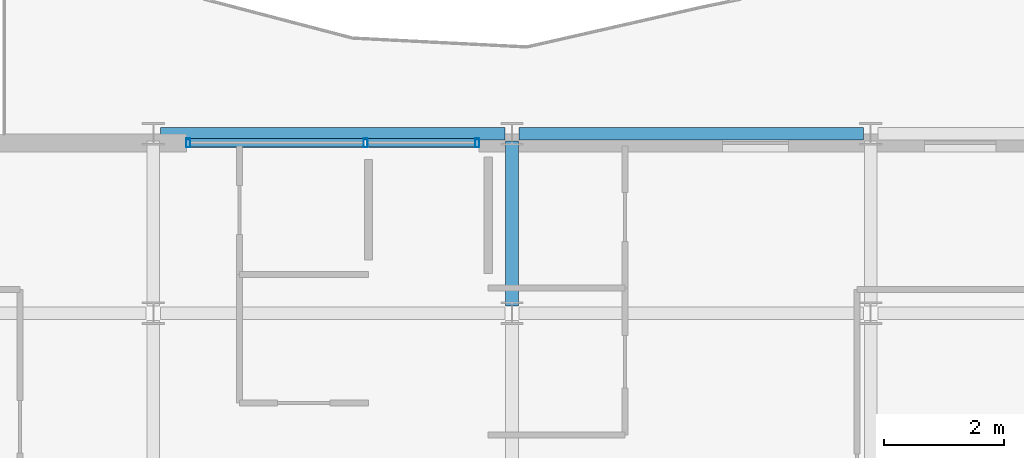
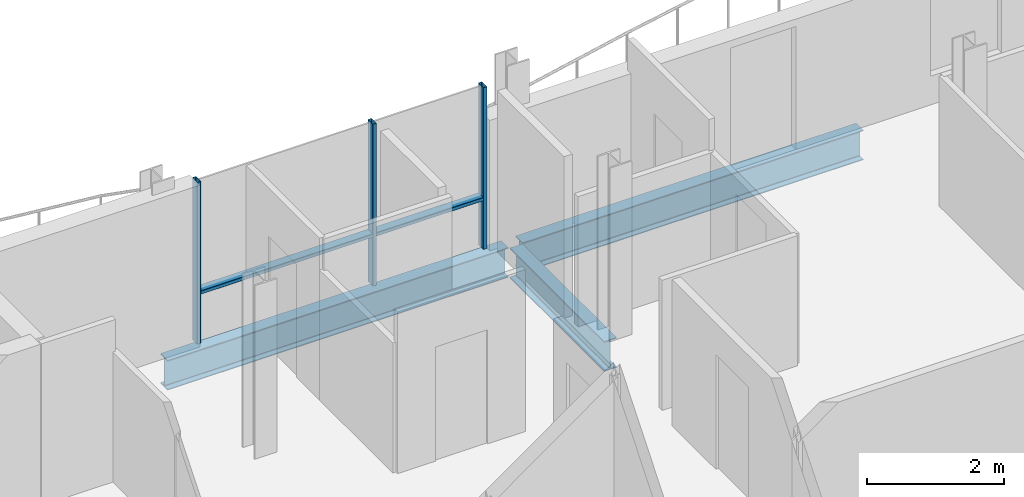
# One storey, part 8 of 30: 5 members, 3 beams, 1 element without a shape of its own.
"""IFC4 building model written with IfcOpenShell, lengths in metres."""

from ifc_helpers import new_model, si_unit, direction, frame, origin, origin_2d, place, context, subcontext, project, spatial, hollow_rectangle, i_section, extrude, material, layer, layer_set, material_profile, profile_set, type_object, element, aggregate, save


model = new_model("IFC4")

# Units and contexts
model_context = context("Model", 3, precision=1e-05, world=origin(), true_north=direction((0.0, 1.0)))
body_context = subcontext(model_context, "Body", "Model", "MODEL_VIEW")
ifc_project = project(units=[si_unit("LENGTHUNIT", "METRE"), si_unit("AREAUNIT", "SQUARE_METRE"), si_unit("VOLUMEUNIT", "CUBIC_METRE"), si_unit("PLANEANGLEUNIT", "RADIAN"), si_unit("MASSUNIT", "GRAM", prefix="KILO")], contexts=[model_context])

# Site, building, storey
site_placement = place(None, origin())
site = spatial("IfcSite", under=ifc_project, at=site_placement, CompositionType="ELEMENT")
building_placement = place(site_placement, origin())
building = spatial("IfcBuilding", under=site, at=building_placement, Name="Brevholm Reach", CompositionType="ELEMENT")
storey_placement = place(building_placement, frame((0.0, 0.0, 204.89990234375)))
storey = spatial("IfcBuildingStorey", under=building, at=storey_placement, Name="L62", CompositionType="ELEMENT", Elevation=204.89990234375)

# Beams
ifc_material_1 = material(Name="Structural Steel S355J2", Category="steel")
ifc_material_profile_1 = material_profile(ifc_material_1, i_section(OverallWidth=0.209228515625, OverallDepth=0.533203125, WebThickness=0.010009765625, FlangeThickness=0.015625, FilletRadius=0.0126953125, at=origin_2d()), Name="UKB 533x210x92")
ifc_profile_set_1 = profile_set([ifc_material_profile_1], Name="Structural Steel S355J2")
beam_type_1 = type_object("IfcBeamType", Name="BM-SP533", PredefinedType="SPANDREL", material=ifc_profile_set_1)
for number, where, z_axis, x_axis, name in (
    (1, (6.1201171875, 26.5, -0.4765625), (1.0, 0.0, 0.0), (0.0, 1.0, 0.0), "L62 SP-02 Framing Beam"),
    (2, (12.1201171875, 26.5, -0.4765625), (1.0, 0.0, 0.0), (0.0, 1.0, 0.0), "L62 SP-02 Framing Beam"),
):
    element("IfcBeam", number, at=place(storey_placement, frame(where, z_axis=z_axis, x_axis=x_axis)), inside=storey, type_object=beam_type_1, Name=name, PredefinedType="SPANDREL", context=body_context, shape_type="SweptSolid", body=[
        extrude(i_section(OverallWidth=0.209228515625, OverallDepth=0.533203125, WebThickness=0.010009765625, FlangeThickness=0.015625, FilletRadius=0.0126953125, at=origin_2d()), origin(), (0.0, 0.0, 1.0), 5.759765625),
    ])
ifc_material_2 = material(Name="Structural Steel S355J2", Category="steel")
ifc_material_profile_2 = material_profile(ifc_material_2, i_section(OverallWidth=0.210693359375, OverallDepth=0.53955078125, WebThickness=0.01171875, FlangeThickness=0.018798828125, FilletRadius=0.0126953125, at=origin_2d()), Name="UKB 533x210x109")
ifc_profile_set_2 = profile_set([ifc_material_profile_2], Name="Structural Steel S355J2")
beam_type_2 = type_object("IfcBeamType", Name="BM-SP539", PredefinedType="SPANDREL", material=ifc_profile_set_2)
beam_placement = place(storey_placement, frame((12.0, 23.6201171875, -0.479736328125), z_axis=(0.0, 1.0, 0.0), x_axis=(-1.0, 0.0, 0.0)))
element("IfcBeam", 3, at=beam_placement, inside=storey, type_object=beam_type_2, Name="L62 SP-01B Framing Beam", PredefinedType="SPANDREL", context=body_context, shape_type="SweptSolid", body=[
    extrude(i_section(OverallWidth=0.210693359375, OverallDepth=0.53955078125, WebThickness=0.01171875, FlangeThickness=0.018798828125, FilletRadius=0.0126953125, at=origin_2d()), origin(), (0.0, 0.0, 1.0), 2.759765625),
])

# Curtain wall, members
ifc_material_3 = material(Name="Dark Anodised Aluminium 6063-T6 and Solar-Control Glass", Category="aluminium")
ifc_layer = layer(ifc_material_3, 0.14990234375)
ifc_layer_set = layer_set([ifc_layer], Name="Dark Anodised Aluminium 6063-T6 and Solar-Control Glass")
curtain_wall_type = type_object("IfcCurtainWallType", Name="CW-01", PredefinedType="NOTDEFINED", material=ifc_layer_set)
curtain_wall_placement = place(storey_placement, origin())
curtain_wall = element("IfcCurtainWall", 4, at=curtain_wall_placement, inside=storey, type_object=curtain_wall_type, Name="L62 Curtain Wall CW-01", PredefinedType="NOTDEFINED")
ifc_material_4 = material(Name="Dark Anodised Aluminium 6063-T6", Category="aluminium")
ifc_material_profile_3 = material_profile(ifc_material_4, hollow_rectangle(XDim=0.06494140625, YDim=0.14990234375, WallThickness=0.0048828125, InnerFilletRadius=0.0048828125, OuterFilletRadius=0.010009765625, at=origin_2d()), Name="RHS 150x65x5")
ifc_profile_set_3 = profile_set([ifc_material_profile_3], Name="Dark Anodised Aluminium 6063-T6")
member_type_1 = type_object("IfcMemberType", Name="CWM-150", PredefinedType="MULLION", material=ifc_profile_set_3)
member_1_placement = place(storey_placement, frame((6.58251953125, 26.35009765625, 0.0), z_axis=(0.0, 0.0, 1.0), x_axis=(1.0, 0.0, 0.0)))
member_1 = element("IfcMember", 5, at=member_1_placement, type_object=member_type_1, Name="CM-150 Mullion 1", PredefinedType="MULLION", context=body_context, shape_type="SweptSolid", body=[
    extrude(hollow_rectangle(XDim=0.06494140625, YDim=0.14990234375, WallThickness=0.0048828125, InnerFilletRadius=0.0048828125, OuterFilletRadius=0.010009765625, at=origin_2d()), origin(), (0.0, 0.0, 1.0), 2.89013671875),
])
member_2_placement = place(storey_placement, frame((9.550048828125, 26.35009765625, 0.0), z_axis=(0.0, 0.0, 1.0), x_axis=(1.0, 0.0, 0.0)))
member_2 = element("IfcMember", 6, at=member_2_placement, type_object=member_type_1, Name="CM-150 Mullion 2", PredefinedType="MULLION", context=body_context, shape_type="SweptSolid", body=[
    extrude(hollow_rectangle(XDim=0.06494140625, YDim=0.14990234375, WallThickness=0.0048828125, InnerFilletRadius=0.0048828125, OuterFilletRadius=0.010009765625, at=origin_2d()), origin(), (0.0, 0.0, 1.0), 2.89013671875),
])
member_3_placement = place(storey_placement, frame((11.41748046875, 26.35009765625, 0.0), z_axis=(0.0, 0.0, 1.0), x_axis=(1.0, 0.0, 0.0)))
member_3 = element("IfcMember", 7, at=member_3_placement, type_object=member_type_1, Name="CM-150 Mullion 3", PredefinedType="MULLION", context=body_context, shape_type="SweptSolid", body=[
    extrude(hollow_rectangle(XDim=0.06494140625, YDim=0.14990234375, WallThickness=0.0048828125, InnerFilletRadius=0.0048828125, OuterFilletRadius=0.010009765625, at=origin_2d()), origin(), (0.0, 0.0, 1.0), 2.89013671875),
])
ifc_material_5 = material(Name="Dark Anodised Aluminium 6063-T6", Category="aluminium")
ifc_material_profile_4 = material_profile(ifc_material_5, hollow_rectangle(XDim=0.06494140625, YDim=0.14990234375, WallThickness=0.0048828125, InnerFilletRadius=0.0048828125, OuterFilletRadius=0.010009765625, at=origin_2d()), Name="RHS 150x65x5")
ifc_profile_set_4 = profile_set([ifc_material_profile_4], Name="Dark Anodised Aluminium 6063-T6")
member_type_2 = type_object("IfcMemberType", Name="CWT-150", PredefinedType="NOTDEFINED", material=ifc_profile_set_4)
member_4_placement = place(storey_placement, frame((6.614990234375, 26.35009765625, 0.900146484375), z_axis=(1.0, 0.0, 0.0), x_axis=(0.0, 0.0, 1.0)))
member_4 = element("IfcMember", 8, at=member_4_placement, type_object=member_type_2, Name="CT-150 Transom 1.1", ObjectType="TRANSOM", PredefinedType="USERDEFINED", context=body_context, shape_type="SweptSolid", body=[
    extrude(hollow_rectangle(XDim=0.06494140625, YDim=0.14990234375, WallThickness=0.0048828125, InnerFilletRadius=0.0048828125, OuterFilletRadius=0.010009765625, at=origin_2d()), origin(), (0.0, 0.0, 1.0), 2.902587890625),
])
member_5_placement = place(storey_placement, frame((9.58251953125, 26.35009765625, 0.900146484375), z_axis=(1.0, 0.0, 0.0), x_axis=(0.0, 0.0, 1.0)))
member_5 = element("IfcMember", 9, at=member_5_placement, type_object=member_type_2, Name="CT-150 Transom 2.1", ObjectType="TRANSOM", PredefinedType="USERDEFINED", context=body_context, shape_type="SweptSolid", body=[
    extrude(hollow_rectangle(XDim=0.06494140625, YDim=0.14990234375, WallThickness=0.0048828125, InnerFilletRadius=0.0048828125, OuterFilletRadius=0.010009765625, at=origin_2d()), origin(), (0.0, 0.0, 1.0), 1.802490234375),
])
aggregate(curtain_wall, [member_1, member_2, member_3, member_4, member_5])

save(model, "model.ifc")
